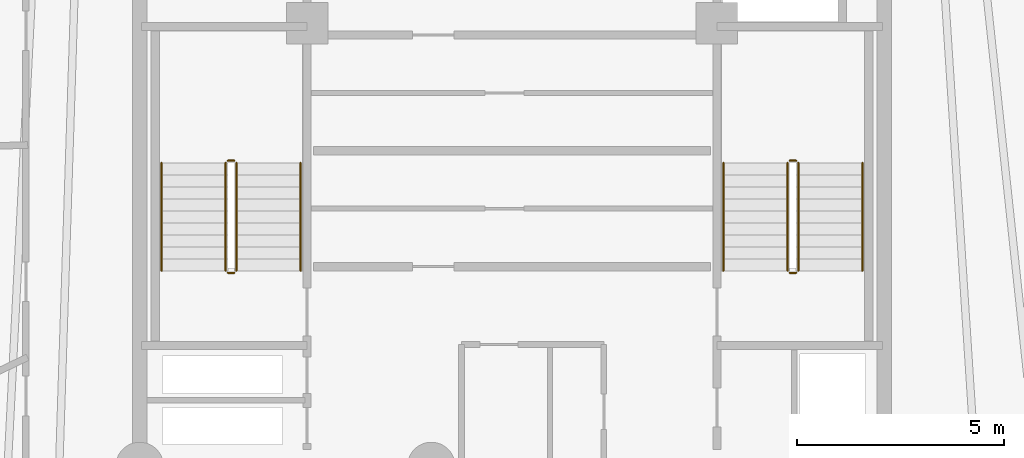
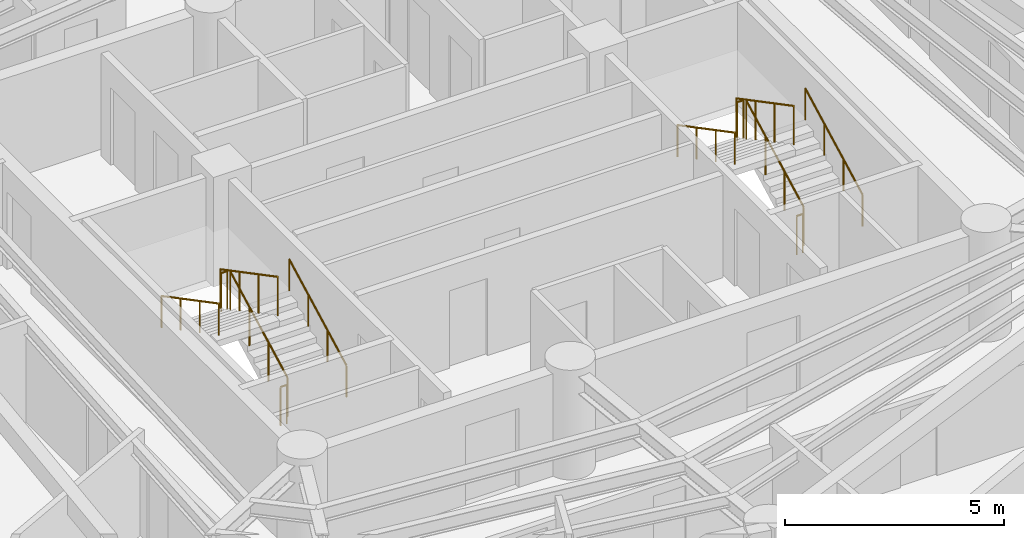
# One storey, part 7 of 7: 12 railings.
"""IFC4 building model written with IfcOpenShell, lengths in metres."""

from ifc_helpers import new_model, si_unit, direction, frame, origin, origin_2d, place, context, subcontext, project, spatial, circle, extrude, material, layer, layer_set, type_object, element, save


model = new_model("IFC4")

# Units and contexts
model_context = context("Model", 3, precision=1e-05, world=origin(), true_north=direction((0.0, 1.0)))
body_context = subcontext(model_context, "Body", "Model", "MODEL_VIEW")
ifc_project = project(units=[si_unit("LENGTHUNIT", "METRE"), si_unit("AREAUNIT", "SQUARE_METRE"), si_unit("VOLUMEUNIT", "CUBIC_METRE"), si_unit("PLANEANGLEUNIT", "RADIAN"), si_unit("MASSUNIT", "GRAM", prefix="KILO")], contexts=[model_context])

# Site, building, storey
site_placement = place(None, origin())
site = spatial("IfcSite", under=ifc_project, at=site_placement, CompositionType="ELEMENT")
building_placement = place(site_placement, origin())
building = spatial("IfcBuilding", under=site, at=building_placement, Name="Karkom Vertical University and Central Library", CompositionType="ELEMENT")
storey_placement = place(building_placement, frame((0.0, 0.0, 259.60009765625)))
storey = spatial("IfcBuildingStorey", under=building, at=storey_placement, Name="L77", CompositionType="ELEMENT", Elevation=259.60009765625)

# Railings
ifc_material_1 = material(Name="Painted galvanised steel balustrade", Category="steel")
ifc_layer_1 = layer(ifc_material_1, 0.06005859375)
ifc_layer_set_1 = layer_set([ifc_layer_1], Name="Painted galvanised steel balustrade")
railing_type_1 = type_object("IfcRailingType", Name="INT-RL-GUARD1100", PredefinedType="GUARDRAIL", material=ifc_layer_set_1)
railing_1_placement = place(storey_placement, frame((21.840087890625, 23.02001953125, 0.15234375)))
element("IfcRailing", 1, at=railing_1_placement, inside=storey, type_object=railing_type_1, Name="Level 77 ST-1 stair guard 1", PredefinedType="GUARDRAIL", context=body_context, shape_type="SweptSolid", body=[
    extrude(circle(Radius=0.02392578125, at=origin_2d()), frame((0.0, 0.0, 1.076171875), z_axis=(0.0, 0.885065446896, 0.46546659892), x_axis=(-1.0, 0.0, 0.0)), (0.0, 0.0, 1.0), 2.94873046875),
    extrude(circle(Radius=0.02099609375, at=origin_2d()), origin(), (0.0, 0.0, 1.0), 1.052001953125),
    extrude(circle(Radius=0.02099609375, at=origin_2d()), frame((0.0, 0.869873046875, 0.45751953125)), (0.0, 0.0, 1.0), 1.052001953125),
    extrude(circle(Radius=0.02099609375, at=origin_2d()), frame((0.0, 1.739990234375, 0.9150390625)), (0.0, 0.0, 1.0), 1.052001953125),
    extrude(circle(Radius=0.02099609375, at=origin_2d()), frame((0.0, 2.60986328125, 1.37255859375)), (0.0, 0.0, 1.0), 1.052001953125),
])
railing_2_placement = place(storey_placement, frame((21.7900390625, 25.679931640625, 1.52490234375)))
element("IfcRailing", 2, at=railing_2_placement, inside=storey, type_object=railing_type_1, Name="Level 77 ST-1 stair guard 2", PredefinedType="GUARDRAIL", context=body_context, shape_type="SweptSolid", body=[
    extrude(circle(Radius=0.02392578125, at=origin_2d()), frame((0.0, 0.0, 1.076171875), z_axis=(-1.0, 0.0, 0.0), x_axis=(0.0, -1.0, 0.0)), (0.0, 0.0, 1.0), 0.16015625),
    extrude(circle(Radius=0.02099609375, at=origin_2d()), origin(), (0.0, 0.0, 1.0), 1.052001953125),
    extrude(circle(Radius=0.02099609375, at=origin_2d()), frame((-0.16015625, 0.0, 0.0)), (0.0, 0.0, 1.0), 1.052001953125),
])
railing_3_placement = place(storey_placement, frame((21.580078125, 25.6298828125, 1.677490234375)))
element("IfcRailing", 3, at=railing_3_placement, inside=storey, type_object=railing_type_1, Name="Level 77 ST-1 stair guard 3", PredefinedType="GUARDRAIL", context=body_context, shape_type="SweptSolid", body=[
    extrude(circle(Radius=0.02392578125, at=origin_2d()), frame((0.0, 0.0, 1.076171875), z_axis=(0.0, -0.885099554253, 0.465401739426), x_axis=(1.0, 0.0, 0.0)), (0.0, 0.0, 1.0), 2.94873046875),
    extrude(circle(Radius=0.02099609375, at=origin_2d()), origin(), (0.0, 0.0, 1.0), 1.052001953125),
    extrude(circle(Radius=0.02099609375, at=origin_2d()), frame((0.0, -0.869873046875, 0.45751953125)), (0.0, 0.0, 1.0), 1.052001953125),
    extrude(circle(Radius=0.02099609375, at=origin_2d()), frame((0.0, -1.739990234375, 0.914794921875)), (0.0, 0.0, 1.0), 1.052001953125),
    extrude(circle(Radius=0.02099609375, at=origin_2d()), frame((0.0, -2.60986328125, 1.372314453125)), (0.0, 0.0, 1.0), 1.052001953125),
])
railing_4_placement = place(storey_placement, frame((21.7900390625, 22.969970703125, 0.0)))
element("IfcRailing", 4, at=railing_4_placement, inside=storey, type_object=railing_type_1, Name="Level 77 ST-1 stair guard 4", PredefinedType="GUARDRAIL", context=body_context, shape_type="SweptSolid", body=[
    extrude(circle(Radius=0.02392578125, at=origin_2d()), frame((0.0, 0.0, 1.076171875), z_axis=(-1.0, 0.0, 0.0), x_axis=(0.0, -1.0, 0.0)), (0.0, 0.0, 1.0), 0.16015625),
    extrude(circle(Radius=0.02099609375, at=origin_2d()), origin(), (0.0, 0.0, 1.0), 1.052001953125),
    extrude(circle(Radius=0.02099609375, at=origin_2d()), frame((-0.16015625, 0.0, 0.0)), (0.0, 0.0, 1.0), 1.052001953125),
])
railing_5_placement = place(storey_placement, frame((35.419921875, 23.02001953125, 0.15234375)))
element("IfcRailing", 5, at=railing_5_placement, inside=storey, type_object=railing_type_1, Name="Level 77 ST-2 stair guard 1", PredefinedType="GUARDRAIL", context=body_context, shape_type="SweptSolid", body=[
    extrude(circle(Radius=0.02392578125, at=origin_2d()), frame((0.0, 0.0, 1.076171875), z_axis=(0.0, 0.885065446896, 0.46546659892), x_axis=(-1.0, 0.0, 0.0)), (0.0, 0.0, 1.0), 2.94873046875),
    extrude(circle(Radius=0.02099609375, at=origin_2d()), origin(), (0.0, 0.0, 1.0), 1.052001953125),
    extrude(circle(Radius=0.02099609375, at=origin_2d()), frame((0.0, 0.869873046875, 0.45751953125)), (0.0, 0.0, 1.0), 1.052001953125),
    extrude(circle(Radius=0.02099609375, at=origin_2d()), frame((0.0, 1.739990234375, 0.9150390625)), (0.0, 0.0, 1.0), 1.052001953125),
    extrude(circle(Radius=0.02099609375, at=origin_2d()), frame((0.0, 2.60986328125, 1.37255859375)), (0.0, 0.0, 1.0), 1.052001953125),
])
railing_6_placement = place(storey_placement, frame((35.3701171875, 25.679931640625, 1.52490234375)))
element("IfcRailing", 6, at=railing_6_placement, inside=storey, type_object=railing_type_1, Name="Level 77 ST-2 stair guard 2", PredefinedType="GUARDRAIL", context=body_context, shape_type="SweptSolid", body=[
    extrude(circle(Radius=0.02392578125, at=origin_2d()), frame((0.0, 0.0, 1.076171875), z_axis=(-1.0, 0.0, 0.0), x_axis=(0.0, -1.0, 0.0)), (0.0, 0.0, 1.0), 0.16015625),
    extrude(circle(Radius=0.02099609375, at=origin_2d()), origin(), (0.0, 0.0, 1.0), 1.052001953125),
    extrude(circle(Radius=0.02099609375, at=origin_2d()), frame((-0.16015625, 0.0, 0.0)), (0.0, 0.0, 1.0), 1.052001953125),
])
railing_7_placement = place(storey_placement, frame((35.159912109375, 25.6298828125, 1.677490234375)))
element("IfcRailing", 7, at=railing_7_placement, inside=storey, type_object=railing_type_1, Name="Level 77 ST-2 stair guard 3", PredefinedType="GUARDRAIL", context=body_context, shape_type="SweptSolid", body=[
    extrude(circle(Radius=0.02392578125, at=origin_2d()), frame((0.0, 0.0, 1.076171875), z_axis=(0.0, -0.885099554253, 0.465401739426), x_axis=(1.0, 0.0, 0.0)), (0.0, 0.0, 1.0), 2.94873046875),
    extrude(circle(Radius=0.02099609375, at=origin_2d()), origin(), (0.0, 0.0, 1.0), 1.052001953125),
    extrude(circle(Radius=0.02099609375, at=origin_2d()), frame((0.0, -0.869873046875, 0.45751953125)), (0.0, 0.0, 1.0), 1.052001953125),
    extrude(circle(Radius=0.02099609375, at=origin_2d()), frame((0.0, -1.739990234375, 0.914794921875)), (0.0, 0.0, 1.0), 1.052001953125),
    extrude(circle(Radius=0.02099609375, at=origin_2d()), frame((0.0, -2.60986328125, 1.372314453125)), (0.0, 0.0, 1.0), 1.052001953125),
])
railing_8_placement = place(storey_placement, frame((35.3701171875, 22.969970703125, 0.0)))
element("IfcRailing", 8, at=railing_8_placement, inside=storey, type_object=railing_type_1, Name="Level 77 ST-2 stair guard 4", PredefinedType="GUARDRAIL", context=body_context, shape_type="SweptSolid", body=[
    extrude(circle(Radius=0.02392578125, at=origin_2d()), frame((0.0, 0.0, 1.076171875), z_axis=(-1.0, 0.0, 0.0), x_axis=(0.0, -1.0, 0.0)), (0.0, 0.0, 1.0), 0.16015625),
    extrude(circle(Radius=0.02099609375, at=origin_2d()), origin(), (0.0, 0.0, 1.0), 1.052001953125),
    extrude(circle(Radius=0.02099609375, at=origin_2d()), frame((-0.16015625, 0.0, 0.0)), (0.0, 0.0, 1.0), 1.052001953125),
])
ifc_material_2 = material(Name="Brushed stainless-steel tubular handrail", Category="steel")
ifc_layer_2 = layer(ifc_material_2, 0.048095703125)
ifc_layer_set_2 = layer_set([ifc_layer_2], Name="Brushed stainless-steel tubular handrail")
railing_type_2 = type_object("IfcRailingType", Name="INT-RL-HAND920", PredefinedType="HANDRAIL", material=ifc_layer_set_2)
railing_9_placement = place(storey_placement, frame((23.389892578125, 23.02001953125, 0.15234375)))
element("IfcRailing", 9, at=railing_9_placement, inside=storey, type_object=railing_type_2, Name="Level 77 ST-1 stair handrail 1", PredefinedType="HANDRAIL", context=body_context, shape_type="SweptSolid", body=[
    extrude(circle(Radius=0.02392578125, at=origin_2d()), frame((0.0, 0.0, 0.8759765625), z_axis=(0.0, 0.885065446896, 0.46546659892), x_axis=(-1.0, 0.0, 0.0)), (0.0, 0.0, 1.0), 2.94873046875),
    extrude(circle(Radius=0.02099609375, at=origin_2d()), origin(), (0.0, 0.0, 1.0), 0.851806640625),
    extrude(circle(Radius=0.02099609375, at=origin_2d()), frame((0.0, 0.869873046875, 0.45751953125)), (0.0, 0.0, 1.0), 0.851806640625),
    extrude(circle(Radius=0.02099609375, at=origin_2d()), frame((0.0, 1.739990234375, 0.9150390625)), (0.0, 0.0, 1.0), 0.851806640625),
    extrude(circle(Radius=0.02099609375, at=origin_2d()), frame((0.0, 2.60986328125, 1.37255859375)), (0.0, 0.0, 1.0), 0.851806640625),
])
railing_10_placement = place(storey_placement, frame((20.030029296875, 25.6298828125, 1.677490234375)))
element("IfcRailing", 10, at=railing_10_placement, inside=storey, type_object=railing_type_2, Name="Level 77 ST-1 stair handrail 2", PredefinedType="HANDRAIL", context=body_context, shape_type="SweptSolid", body=[
    extrude(circle(Radius=0.02392578125, at=origin_2d()), frame((0.0, 0.0, 0.8759765625), z_axis=(0.0, -0.885099554253, 0.465401739426), x_axis=(1.0, 0.0, 0.0)), (0.0, 0.0, 1.0), 2.94873046875),
    extrude(circle(Radius=0.02099609375, at=origin_2d()), origin(), (0.0, 0.0, 1.0), 0.851806640625),
    extrude(circle(Radius=0.02099609375, at=origin_2d()), frame((0.0, -0.869873046875, 0.45751953125)), (0.0, 0.0, 1.0), 0.851806640625),
    extrude(circle(Radius=0.02099609375, at=origin_2d()), frame((0.0, -1.739990234375, 0.914794921875)), (0.0, 0.0, 1.0), 0.851806640625),
    extrude(circle(Radius=0.02099609375, at=origin_2d()), frame((0.0, -2.60986328125, 1.372314453125)), (0.0, 0.0, 1.0), 0.851806640625),
])
railing_11_placement = place(storey_placement, frame((36.969970703125, 23.02001953125, 0.15234375)))
element("IfcRailing", 11, at=railing_11_placement, inside=storey, type_object=railing_type_2, Name="Level 77 ST-2 stair handrail 1", PredefinedType="HANDRAIL", context=body_context, shape_type="SweptSolid", body=[
    extrude(circle(Radius=0.02392578125, at=origin_2d()), frame((0.0, 0.0, 0.8759765625), z_axis=(0.0, 0.885065446896, 0.46546659892), x_axis=(-1.0, 0.0, 0.0)), (0.0, 0.0, 1.0), 2.94873046875),
    extrude(circle(Radius=0.02099609375, at=origin_2d()), origin(), (0.0, 0.0, 1.0), 0.851806640625),
    extrude(circle(Radius=0.02099609375, at=origin_2d()), frame((0.0, 0.869873046875, 0.45751953125)), (0.0, 0.0, 1.0), 0.851806640625),
    extrude(circle(Radius=0.02099609375, at=origin_2d()), frame((0.0, 1.739990234375, 0.9150390625)), (0.0, 0.0, 1.0), 0.851806640625),
    extrude(circle(Radius=0.02099609375, at=origin_2d()), frame((0.0, 2.60986328125, 1.37255859375)), (0.0, 0.0, 1.0), 0.851806640625),
])
railing_12_placement = place(storey_placement, frame((33.610107421875, 25.6298828125, 1.677490234375)))
element("IfcRailing", 12, at=railing_12_placement, inside=storey, type_object=railing_type_2, Name="Level 77 ST-2 stair handrail 2", PredefinedType="HANDRAIL", context=body_context, shape_type="SweptSolid", body=[
    extrude(circle(Radius=0.02392578125, at=origin_2d()), frame((0.0, 0.0, 0.8759765625), z_axis=(0.0, -0.885099554253, 0.465401739426), x_axis=(1.0, 0.0, 0.0)), (0.0, 0.0, 1.0), 2.94873046875),
    extrude(circle(Radius=0.02099609375, at=origin_2d()), origin(), (0.0, 0.0, 1.0), 0.851806640625),
    extrude(circle(Radius=0.02099609375, at=origin_2d()), frame((0.0, -0.869873046875, 0.45751953125)), (0.0, 0.0, 1.0), 0.851806640625),
    extrude(circle(Radius=0.02099609375, at=origin_2d()), frame((0.0, -1.739990234375, 0.914794921875)), (0.0, 0.0, 1.0), 0.851806640625),
    extrude(circle(Radius=0.02099609375, at=origin_2d()), frame((0.0, -2.60986328125, 1.372314453125)), (0.0, 0.0, 1.0), 0.851806640625),
])

save(model, "model.ifc")
